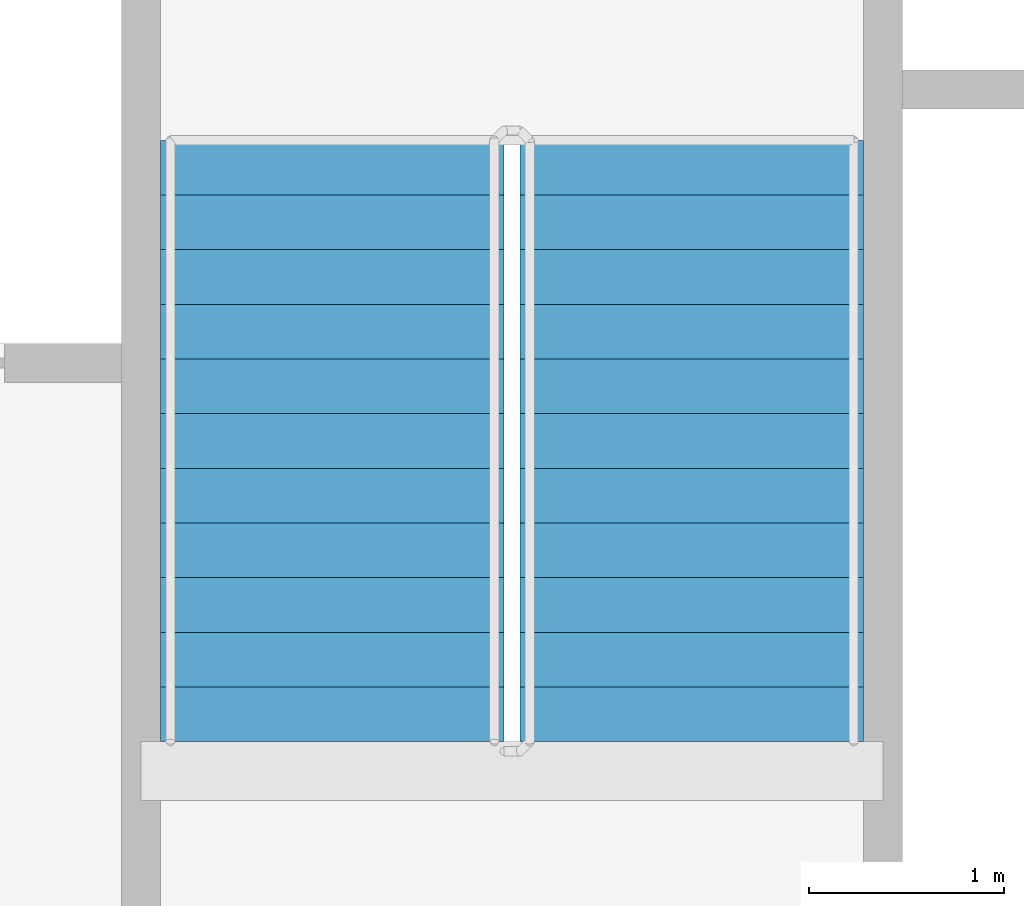
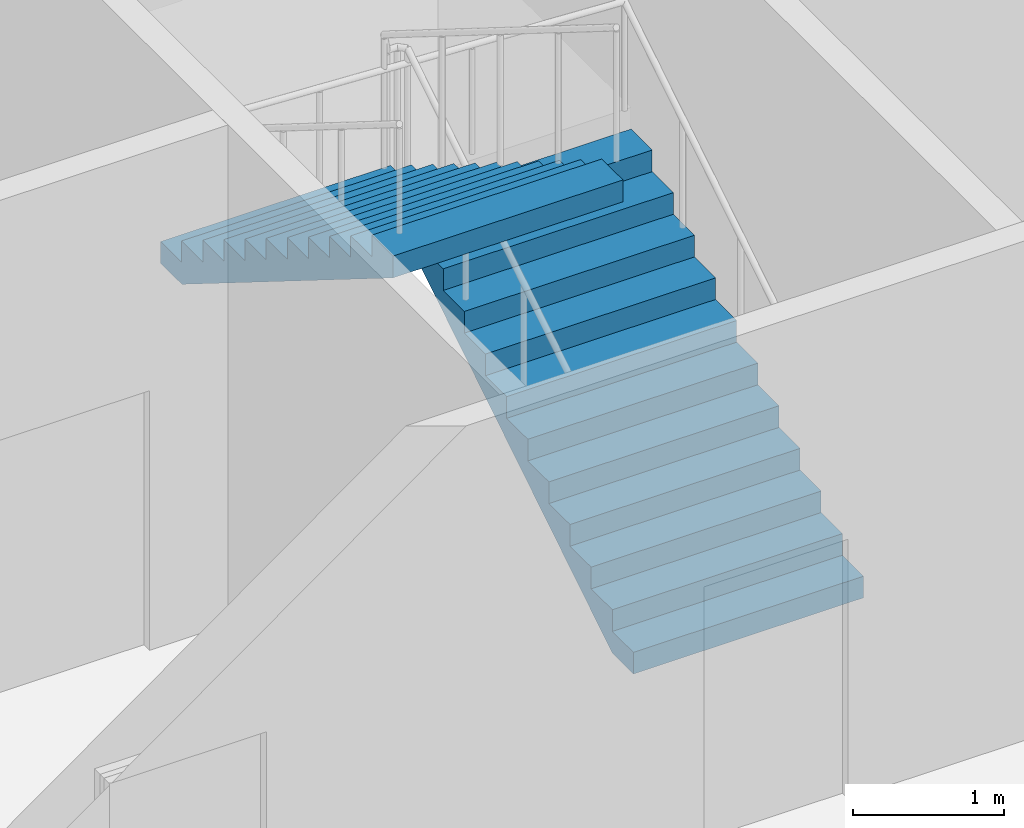
# One storey, part 23 of 28: 2 stair flights, 1 element without a shape of its own.
"""IFC4 building model written with IfcOpenShell, lengths in metres."""

from ifc_helpers import new_model, si_unit, direction, frame, origin, place, context, subcontext, project, spatial, faceted_brep, material, type_object, element, aggregate, save


model = new_model("IFC4")

# Units and contexts
model_context = context("Model", 3, precision=1e-05, world=origin(), true_north=direction((0.0, 1.0)))
body_context = subcontext(model_context, "Body", "Model", "MODEL_VIEW")
ifc_project = project(units=[si_unit("LENGTHUNIT", "METRE"), si_unit("AREAUNIT", "SQUARE_METRE"), si_unit("VOLUMEUNIT", "CUBIC_METRE"), si_unit("PLANEANGLEUNIT", "RADIAN"), si_unit("MASSUNIT", "GRAM", prefix="KILO")], contexts=[model_context])

# Site, building, storey
site_placement = place(None, origin())
site = spatial("IfcSite", under=ifc_project, at=site_placement, CompositionType="ELEMENT")
building_placement = place(site_placement, origin())
building = spatial("IfcBuilding", under=site, at=building_placement, Name="Tarsis Ring Headquarters", CompositionType="ELEMENT")
storey_placement = place(building_placement, frame((0.0, 0.0, 381.800048828125)))
storey = spatial("IfcBuildingStorey", under=building, at=storey_placement, Name="L90", CompositionType="ELEMENT", Elevation=381.800048828125)

# Stair, stair flights
ifc_material_1 = material(Name="Core stair 1760")
stair_type = type_object("IfcStairType", Name="Core stair 1760", PredefinedType="HALF_TURN_STAIR", material=ifc_material_1)
stair_placement = place(storey_placement, origin())
stair = element("IfcStair", 1, at=stair_placement, inside=storey, type_object=stair_type, Name="L90 Exit stair B", PredefinedType="HALF_TURN_STAIR")
ifc_material_2 = material(Name="Concrete C40/50", Category="concrete")
stair_flight_type = type_object("IfcStairFlightType", Name="Core stair flight 1760", PredefinedType="STRAIGHT", material=ifc_material_2)
stair_flight_1_placement = place(storey_placement, frame((5.419921875, 3.659912109375, 0.0), z_axis=(0.0, 0.0, 1.0), x_axis=(0.0, 1.0, 0.0)))
stair_flight_1 = element("IfcStairFlight", 2, at=stair_flight_1_placement, type_object=stair_flight_type, Name="Stair ST2 flight 1", NumberOfRisers=12, NumberOfTreads=11, PredefinedType="STRAIGHT", RiserHeight=0.175, TreadLength=0.28, context=body_context, shape_type="Brep", body=[
    faceted_brep([(0.0, 0.8798828125, 0.0), (0.0, 0.8798828125, 0.175048828125), (0.280029296875, 0.8798828125, 0.175048828125), (0.280029296875, 0.8798828125, 0.35009765625), (0.56005859375, 0.8798828125, 0.35009765625), (0.56005859375, 0.8798828125, 0.52490234375), (0.840087890625, 0.8798828125, 0.52490234375), (0.840087890625, 0.8798828125, 0.699951171875), (1.1201171875, 0.8798828125, 0.699951171875), (1.1201171875, 0.8798828125, 0.875), (1.39990234375, 0.8798828125, 0.875), (1.39990234375, 0.8798828125, 1.050048828125), (1.679931640625, 0.8798828125, 1.050048828125), (1.679931640625, 0.8798828125, 1.22509765625), (1.9599609375, 0.8798828125, 1.22509765625), (1.9599609375, 0.8798828125, 1.39990234375), (2.239990234375, 0.8798828125, 1.39990234375), (2.239990234375, 0.8798828125, 1.574951171875), (2.52001953125, 0.8798828125, 1.574951171875), (2.52001953125, 0.8798828125, 1.75), (2.800048828125, 0.8798828125, 1.75), (2.800048828125, 0.8798828125, 1.925048828125), (3.080078125, 0.8798828125, 1.925048828125), (3.080078125, 0.8798828125, 1.748291015625), (0.28271484375, 0.8798828125, 0.0), (0.28271484375, -0.8798828125, 0.0), (3.080078125, -0.8798828125, 1.748291015625), (3.080078125, -0.8798828125, 1.925048828125), (2.800048828125, -0.8798828125, 1.925048828125), (2.800048828125, -0.8798828125, 1.75), (2.52001953125, -0.8798828125, 1.75), (2.52001953125, -0.8798828125, 1.574951171875), (2.239990234375, -0.8798828125, 1.574951171875), (2.239990234375, -0.8798828125, 1.39990234375), (1.9599609375, -0.8798828125, 1.39990234375), (1.9599609375, -0.8798828125, 1.22509765625), (1.679931640625, -0.8798828125, 1.22509765625), (1.679931640625, -0.8798828125, 1.050048828125), (1.39990234375, -0.8798828125, 1.050048828125), (1.39990234375, -0.8798828125, 0.875), (1.1201171875, -0.8798828125, 0.875), (1.1201171875, -0.8798828125, 0.699951171875), (0.840087890625, -0.8798828125, 0.699951171875), (0.840087890625, -0.8798828125, 0.52490234375), (0.56005859375, -0.8798828125, 0.52490234375), (0.56005859375, -0.8798828125, 0.35009765625), (0.280029296875, -0.8798828125, 0.35009765625), (0.280029296875, -0.8798828125, 0.175048828125), (0.0, -0.8798828125, 0.175048828125), (0.0, -0.8798828125, 0.0), (0.0, -0.43994140625, 0.175048828125), (0.0, -0.43994140625, 0.0), (0.0, 0.0, 0.175048828125), (0.0, 0.0, 0.0), (0.0, 0.43994140625, 0.175048828125), (0.0, 0.43994140625, 0.0), (0.280029296875, -0.43994140625, 0.175048828125), (0.280029296875, 0.0, 0.175048828125), (0.280029296875, 0.43994140625, 0.175048828125), (0.280029296875, -0.43994140625, 0.35009765625), (0.280029296875, 0.0, 0.35009765625), (0.280029296875, 0.43994140625, 0.35009765625), (0.56005859375, -0.43994140625, 0.35009765625), (0.56005859375, 0.0, 0.35009765625), (0.56005859375, 0.43994140625, 0.35009765625), (0.56005859375, -0.43994140625, 0.52490234375), (0.56005859375, 0.0, 0.52490234375), (0.56005859375, 0.43994140625, 0.52490234375), (0.840087890625, -0.43994140625, 0.52490234375), (0.840087890625, 0.0, 0.52490234375), (0.840087890625, 0.43994140625, 0.52490234375), (0.840087890625, -0.43994140625, 0.699951171875), (0.840087890625, 0.0, 0.699951171875), (0.840087890625, 0.43994140625, 0.699951171875), (1.1201171875, -0.43994140625, 0.699951171875), (1.1201171875, 0.0, 0.699951171875), (1.1201171875, 0.43994140625, 0.699951171875), (1.1201171875, -0.43994140625, 0.875), (1.1201171875, 0.0, 0.875), (1.1201171875, 0.43994140625, 0.875), (1.39990234375, -0.43994140625, 0.875), (1.39990234375, 0.0, 0.875), (1.39990234375, 0.43994140625, 0.875), (1.39990234375, -0.43994140625, 1.050048828125), (1.39990234375, 0.0, 1.050048828125), (1.39990234375, 0.43994140625, 1.050048828125), (1.679931640625, -0.43994140625, 1.050048828125), (1.679931640625, 0.0, 1.050048828125), (1.679931640625, 0.43994140625, 1.050048828125), (1.679931640625, -0.43994140625, 1.22509765625), (1.679931640625, 0.0, 1.22509765625), (1.679931640625, 0.43994140625, 1.22509765625), (1.9599609375, -0.43994140625, 1.22509765625), (1.9599609375, 0.0, 1.22509765625), (1.9599609375, 0.43994140625, 1.22509765625), (1.9599609375, -0.43994140625, 1.39990234375), (1.9599609375, 0.0, 1.39990234375), (1.9599609375, 0.43994140625, 1.39990234375), (2.239990234375, -0.43994140625, 1.39990234375), (2.239990234375, 0.0, 1.39990234375), (2.239990234375, 0.43994140625, 1.39990234375), (2.239990234375, -0.43994140625, 1.574951171875), (2.239990234375, 0.0, 1.574951171875), (2.239990234375, 0.43994140625, 1.574951171875), (2.52001953125, -0.43994140625, 1.574951171875), (2.52001953125, 0.0, 1.574951171875), (2.52001953125, 0.43994140625, 1.574951171875), (2.52001953125, -0.43994140625, 1.75), (2.52001953125, 0.0, 1.75), (2.52001953125, 0.43994140625, 1.75), (2.800048828125, -0.43994140625, 1.75), (2.800048828125, 0.0, 1.75), (2.800048828125, 0.43994140625, 1.75), (2.800048828125, -0.43994140625, 1.925048828125), (2.800048828125, 0.0, 1.925048828125), (2.800048828125, 0.43994140625, 1.925048828125), (3.080078125, -0.43994140625, 1.925048828125), (3.080078125, 0.0, 1.925048828125), (3.080078125, 0.43994140625, 1.925048828125), (3.080078125, -0.43994140625, 1.748291015625), (3.080078125, 0.0, 1.748291015625), (3.080078125, 0.43994140625, 1.748291015625), (0.28271484375, -0.43994140625, 0.0), (0.28271484375, 0.0, 0.0), (0.28271484375, 0.43994140625, 0.0)], [[[0, 1, 2, 3, 4, 5, 6, 7, 8, 9, 10, 11, 12, 13, 14, 15, 16, 17, 18, 19, 20, 21, 22, 23, 24]], [[25, 26, 27, 28, 29, 30, 31, 32, 33, 34, 35, 36, 37, 38, 39, 40, 41, 42, 43, 44, 45, 46, 47, 48, 49]], [[49, 48, 50, 51]], [[51, 50, 52, 53]], [[53, 52, 54, 55]], [[55, 54, 1, 0]], [[48, 47, 56, 50]], [[50, 56, 57, 52]], [[52, 57, 58, 54]], [[54, 58, 2, 1]], [[47, 46, 59, 56]], [[56, 59, 60, 57]], [[57, 60, 61, 58]], [[58, 61, 3, 2]], [[46, 45, 62, 59]], [[59, 62, 63, 60]], [[60, 63, 64, 61]], [[61, 64, 4, 3]], [[45, 44, 65, 62]], [[62, 65, 66, 63]], [[63, 66, 67, 64]], [[64, 67, 5, 4]], [[44, 43, 68, 65]], [[65, 68, 69, 66]], [[66, 69, 70, 67]], [[67, 70, 6, 5]], [[43, 42, 71, 68]], [[68, 71, 72, 69]], [[69, 72, 73, 70]], [[70, 73, 7, 6]], [[42, 41, 74, 71]], [[71, 74, 75, 72]], [[72, 75, 76, 73]], [[73, 76, 8, 7]], [[41, 40, 77, 74]], [[74, 77, 78, 75]], [[75, 78, 79, 76]], [[76, 79, 9, 8]], [[40, 39, 80, 77]], [[77, 80, 81, 78]], [[78, 81, 82, 79]], [[79, 82, 10, 9]], [[39, 38, 83, 80]], [[80, 83, 84, 81]], [[81, 84, 85, 82]], [[82, 85, 11, 10]], [[38, 37, 86, 83]], [[83, 86, 87, 84]], [[84, 87, 88, 85]], [[85, 88, 12, 11]], [[37, 36, 89, 86]], [[86, 89, 90, 87]], [[87, 90, 91, 88]], [[88, 91, 13, 12]], [[36, 35, 92, 89]], [[89, 92, 93, 90]], [[90, 93, 94, 91]], [[91, 94, 14, 13]], [[35, 34, 95, 92]], [[92, 95, 96, 93]], [[93, 96, 97, 94]], [[94, 97, 15, 14]], [[34, 33, 98, 95]], [[95, 98, 99, 96]], [[96, 99, 100, 97]], [[97, 100, 16, 15]], [[33, 32, 101, 98]], [[98, 101, 102, 99]], [[99, 102, 103, 100]], [[100, 103, 17, 16]], [[32, 31, 104, 101]], [[101, 104, 105, 102]], [[102, 105, 106, 103]], [[103, 106, 18, 17]], [[31, 30, 107, 104]], [[104, 107, 108, 105]], [[105, 108, 109, 106]], [[106, 109, 19, 18]], [[30, 29, 110, 107]], [[107, 110, 111, 108]], [[108, 111, 112, 109]], [[109, 112, 20, 19]], [[29, 28, 113, 110]], [[110, 113, 114, 111]], [[111, 114, 115, 112]], [[112, 115, 21, 20]], [[28, 27, 116, 113]], [[113, 116, 117, 114]], [[114, 117, 118, 115]], [[115, 118, 22, 21]], [[27, 26, 119, 116]], [[116, 119, 120, 117]], [[117, 120, 121, 118]], [[118, 121, 23, 22]], [[26, 25, 122, 119]], [[119, 122, 123, 120]], [[120, 123, 124, 121]], [[121, 124, 24, 23]], [[25, 49, 51, 122]], [[122, 51, 53, 123]], [[123, 53, 55, 124]], [[124, 55, 0, 24]]]),
])
stair_flight_2_placement = place(storey_placement, frame((3.580078125, 6.739990234375, 2.099853515625), z_axis=(0.0, 0.0, 1.0), x_axis=(0.0, -1.0, 0.0)))
stair_flight_2 = element("IfcStairFlight", 3, at=stair_flight_2_placement, type_object=stair_flight_type, Name="Stair ST2 flight 2", NumberOfRisers=12, NumberOfTreads=11, PredefinedType="STRAIGHT", RiserHeight=0.175, TreadLength=0.28, context=body_context, shape_type="Brep", body=[
    faceted_brep([(0.0, 0.8798828125, 0.0), (0.0, 0.8798828125, 0.175048828125), (0.280029296875, 0.8798828125, 0.175048828125), (0.280029296875, 0.8798828125, 0.35009765625), (0.56005859375, 0.8798828125, 0.35009765625), (0.56005859375, 0.8798828125, 0.52490234375), (0.840087890625, 0.8798828125, 0.52490234375), (0.840087890625, 0.8798828125, 0.699951171875), (1.1201171875, 0.8798828125, 0.699951171875), (1.1201171875, 0.8798828125, 0.875), (1.39990234375, 0.8798828125, 0.875), (1.39990234375, 0.8798828125, 1.050048828125), (1.679931640625, 0.8798828125, 1.050048828125), (1.679931640625, 0.8798828125, 1.22509765625), (1.9599609375, 0.8798828125, 1.22509765625), (1.9599609375, 0.8798828125, 1.39990234375), (2.239990234375, 0.8798828125, 1.39990234375), (2.239990234375, 0.8798828125, 1.574951171875), (2.52001953125, 0.8798828125, 1.574951171875), (2.52001953125, 0.8798828125, 1.75), (2.800048828125, 0.8798828125, 1.75), (2.800048828125, 0.8798828125, 1.925048828125), (3.080078125, 0.8798828125, 1.925048828125), (3.080078125, 0.8798828125, 1.748291015625), (0.28271484375, 0.8798828125, 0.0), (0.28271484375, -0.8798828125, 0.0), (3.080078125, -0.8798828125, 1.748291015625), (3.080078125, -0.8798828125, 1.925048828125), (2.800048828125, -0.8798828125, 1.925048828125), (2.800048828125, -0.8798828125, 1.75), (2.52001953125, -0.8798828125, 1.75), (2.52001953125, -0.8798828125, 1.574951171875), (2.239990234375, -0.8798828125, 1.574951171875), (2.239990234375, -0.8798828125, 1.39990234375), (1.9599609375, -0.8798828125, 1.39990234375), (1.9599609375, -0.8798828125, 1.22509765625), (1.679931640625, -0.8798828125, 1.22509765625), (1.679931640625, -0.8798828125, 1.050048828125), (1.39990234375, -0.8798828125, 1.050048828125), (1.39990234375, -0.8798828125, 0.875), (1.1201171875, -0.8798828125, 0.875), (1.1201171875, -0.8798828125, 0.699951171875), (0.840087890625, -0.8798828125, 0.699951171875), (0.840087890625, -0.8798828125, 0.52490234375), (0.56005859375, -0.8798828125, 0.52490234375), (0.56005859375, -0.8798828125, 0.35009765625), (0.280029296875, -0.8798828125, 0.35009765625), (0.280029296875, -0.8798828125, 0.175048828125), (0.0, -0.8798828125, 0.175048828125), (0.0, -0.8798828125, 0.0), (0.0, -0.43994140625, 0.175048828125), (0.0, -0.43994140625, 0.0), (0.0, 0.0, 0.175048828125), (0.0, 0.0, 0.0), (0.0, 0.43994140625, 0.175048828125), (0.0, 0.43994140625, 0.0), (0.280029296875, -0.43994140625, 0.175048828125), (0.280029296875, 0.0, 0.175048828125), (0.280029296875, 0.43994140625, 0.175048828125), (0.280029296875, -0.43994140625, 0.35009765625), (0.280029296875, 0.0, 0.35009765625), (0.280029296875, 0.43994140625, 0.35009765625), (0.56005859375, -0.43994140625, 0.35009765625), (0.56005859375, 0.0, 0.35009765625), (0.56005859375, 0.43994140625, 0.35009765625), (0.56005859375, -0.43994140625, 0.52490234375), (0.56005859375, 0.0, 0.52490234375), (0.56005859375, 0.43994140625, 0.52490234375), (0.840087890625, -0.43994140625, 0.52490234375), (0.840087890625, 0.0, 0.52490234375), (0.840087890625, 0.43994140625, 0.52490234375), (0.840087890625, -0.43994140625, 0.699951171875), (0.840087890625, 0.0, 0.699951171875), (0.840087890625, 0.43994140625, 0.699951171875), (1.1201171875, -0.43994140625, 0.699951171875), (1.1201171875, 0.0, 0.699951171875), (1.1201171875, 0.43994140625, 0.699951171875), (1.1201171875, -0.43994140625, 0.875), (1.1201171875, 0.0, 0.875), (1.1201171875, 0.43994140625, 0.875), (1.39990234375, -0.43994140625, 0.875), (1.39990234375, 0.0, 0.875), (1.39990234375, 0.43994140625, 0.875), (1.39990234375, -0.43994140625, 1.050048828125), (1.39990234375, 0.0, 1.050048828125), (1.39990234375, 0.43994140625, 1.050048828125), (1.679931640625, -0.43994140625, 1.050048828125), (1.679931640625, 0.0, 1.050048828125), (1.679931640625, 0.43994140625, 1.050048828125), (1.679931640625, -0.43994140625, 1.22509765625), (1.679931640625, 0.0, 1.22509765625), (1.679931640625, 0.43994140625, 1.22509765625), (1.9599609375, -0.43994140625, 1.22509765625), (1.9599609375, 0.0, 1.22509765625), (1.9599609375, 0.43994140625, 1.22509765625), (1.9599609375, -0.43994140625, 1.39990234375), (1.9599609375, 0.0, 1.39990234375), (1.9599609375, 0.43994140625, 1.39990234375), (2.239990234375, -0.43994140625, 1.39990234375), (2.239990234375, 0.0, 1.39990234375), (2.239990234375, 0.43994140625, 1.39990234375), (2.239990234375, -0.43994140625, 1.574951171875), (2.239990234375, 0.0, 1.574951171875), (2.239990234375, 0.43994140625, 1.574951171875), (2.52001953125, -0.43994140625, 1.574951171875), (2.52001953125, 0.0, 1.574951171875), (2.52001953125, 0.43994140625, 1.574951171875), (2.52001953125, -0.43994140625, 1.75), (2.52001953125, 0.0, 1.75), (2.52001953125, 0.43994140625, 1.75), (2.800048828125, -0.43994140625, 1.75), (2.800048828125, 0.0, 1.75), (2.800048828125, 0.43994140625, 1.75), (2.800048828125, -0.43994140625, 1.925048828125), (2.800048828125, 0.0, 1.925048828125), (2.800048828125, 0.43994140625, 1.925048828125), (3.080078125, -0.43994140625, 1.925048828125), (3.080078125, 0.0, 1.925048828125), (3.080078125, 0.43994140625, 1.925048828125), (3.080078125, -0.43994140625, 1.748291015625), (3.080078125, 0.0, 1.748291015625), (3.080078125, 0.43994140625, 1.748291015625), (0.28271484375, -0.43994140625, 0.0), (0.28271484375, 0.0, 0.0), (0.28271484375, 0.43994140625, 0.0)], [[[0, 1, 2, 3, 4, 5, 6, 7, 8, 9, 10, 11, 12, 13, 14, 15, 16, 17, 18, 19, 20, 21, 22, 23, 24]], [[25, 26, 27, 28, 29, 30, 31, 32, 33, 34, 35, 36, 37, 38, 39, 40, 41, 42, 43, 44, 45, 46, 47, 48, 49]], [[49, 48, 50, 51]], [[51, 50, 52, 53]], [[53, 52, 54, 55]], [[55, 54, 1, 0]], [[48, 47, 56, 50]], [[50, 56, 57, 52]], [[52, 57, 58, 54]], [[54, 58, 2, 1]], [[47, 46, 59, 56]], [[56, 59, 60, 57]], [[57, 60, 61, 58]], [[58, 61, 3, 2]], [[46, 45, 62, 59]], [[59, 62, 63, 60]], [[60, 63, 64, 61]], [[61, 64, 4, 3]], [[45, 44, 65, 62]], [[62, 65, 66, 63]], [[63, 66, 67, 64]], [[64, 67, 5, 4]], [[44, 43, 68, 65]], [[65, 68, 69, 66]], [[66, 69, 70, 67]], [[67, 70, 6, 5]], [[43, 42, 71, 68]], [[68, 71, 72, 69]], [[69, 72, 73, 70]], [[70, 73, 7, 6]], [[42, 41, 74, 71]], [[71, 74, 75, 72]], [[72, 75, 76, 73]], [[73, 76, 8, 7]], [[41, 40, 77, 74]], [[74, 77, 78, 75]], [[75, 78, 79, 76]], [[76, 79, 9, 8]], [[40, 39, 80, 77]], [[77, 80, 81, 78]], [[78, 81, 82, 79]], [[79, 82, 10, 9]], [[39, 38, 83, 80]], [[80, 83, 84, 81]], [[81, 84, 85, 82]], [[82, 85, 11, 10]], [[38, 37, 86, 83]], [[83, 86, 87, 84]], [[84, 87, 88, 85]], [[85, 88, 12, 11]], [[37, 36, 89, 86]], [[86, 89, 90, 87]], [[87, 90, 91, 88]], [[88, 91, 13, 12]], [[36, 35, 92, 89]], [[89, 92, 93, 90]], [[90, 93, 94, 91]], [[91, 94, 14, 13]], [[35, 34, 95, 92]], [[92, 95, 96, 93]], [[93, 96, 97, 94]], [[94, 97, 15, 14]], [[34, 33, 98, 95]], [[95, 98, 99, 96]], [[96, 99, 100, 97]], [[97, 100, 16, 15]], [[33, 32, 101, 98]], [[98, 101, 102, 99]], [[99, 102, 103, 100]], [[100, 103, 17, 16]], [[32, 31, 104, 101]], [[101, 104, 105, 102]], [[102, 105, 106, 103]], [[103, 106, 18, 17]], [[31, 30, 107, 104]], [[104, 107, 108, 105]], [[105, 108, 109, 106]], [[106, 109, 19, 18]], [[30, 29, 110, 107]], [[107, 110, 111, 108]], [[108, 111, 112, 109]], [[109, 112, 20, 19]], [[29, 28, 113, 110]], [[110, 113, 114, 111]], [[111, 114, 115, 112]], [[112, 115, 21, 20]], [[28, 27, 116, 113]], [[113, 116, 117, 114]], [[114, 117, 118, 115]], [[115, 118, 22, 21]], [[27, 26, 119, 116]], [[116, 119, 120, 117]], [[117, 120, 121, 118]], [[118, 121, 23, 22]], [[26, 25, 122, 119]], [[119, 122, 123, 120]], [[120, 123, 124, 121]], [[121, 124, 24, 23]], [[25, 49, 51, 122]], [[122, 51, 53, 123]], [[123, 53, 55, 124]], [[124, 55, 0, 24]]]),
])
aggregate(stair, [stair_flight_1, stair_flight_2])

save(model, "model.ifc")
